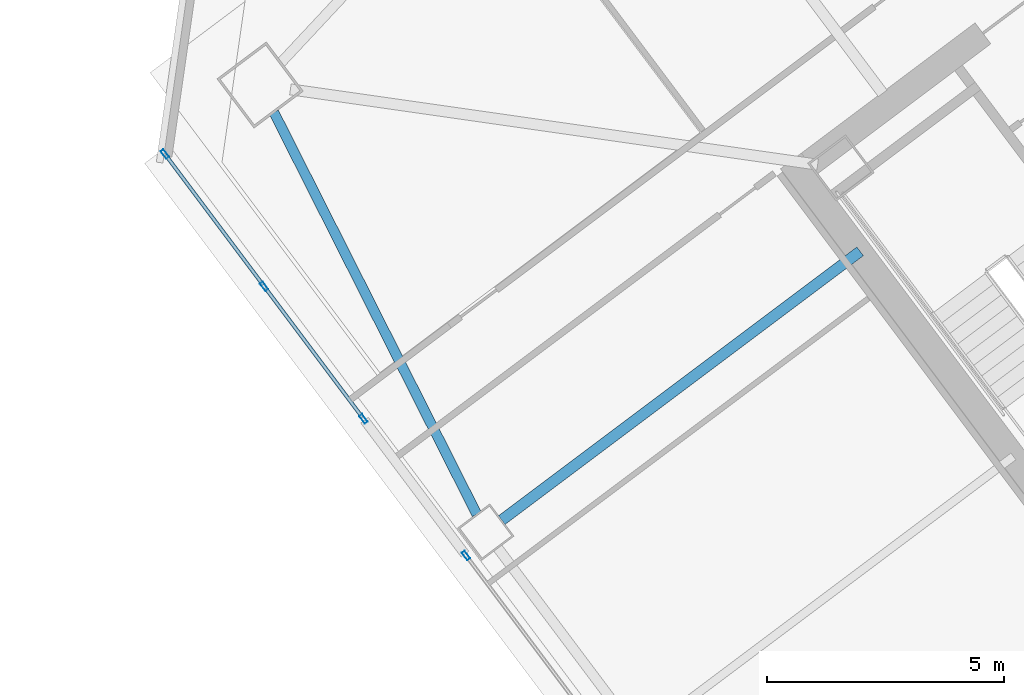
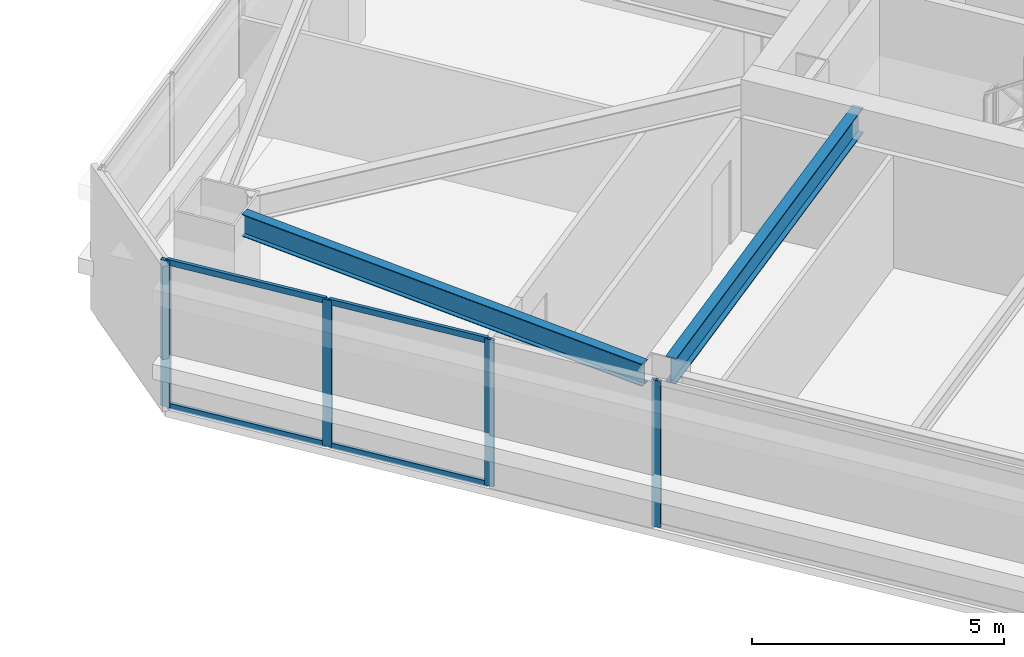
# One storey, part 20 of 46: 8 members, 2 beams, 2 elements without a shape of their own.
"""IFC4 building model written with IfcOpenShell, lengths in metres."""

from ifc_helpers import new_model, si_unit, direction, frame, origin, origin_2d, place, context, subcontext, project, spatial, hollow_rectangle, i_section, extrude, material, material_profile, profile_set, type_object, element, aggregate, save


model = new_model("IFC4")

# Units and contexts
model_context = context("Model", 3, precision=1e-05, world=origin(), true_north=direction((0.0, 1.0)))
body_context = subcontext(model_context, "Body", "Model", "MODEL_VIEW")
ifc_project = project(units=[si_unit("LENGTHUNIT", "METRE"), si_unit("AREAUNIT", "SQUARE_METRE"), si_unit("VOLUMEUNIT", "CUBIC_METRE"), si_unit("PLANEANGLEUNIT", "RADIAN"), si_unit("MASSUNIT", "GRAM", prefix="KILO")], contexts=[model_context])

# Site, building, storey
site_placement = place(None, origin())
site = spatial("IfcSite", under=ifc_project, at=site_placement, CompositionType="ELEMENT")
building_placement = place(site_placement, origin())
building = spatial("IfcBuilding", under=site, at=building_placement, Name="Tashvorn Skyway Center", CompositionType="ELEMENT")
storey_placement = place(building_placement, frame((0.0, 0.0, 132.14990234375)))
storey = spatial("IfcBuildingStorey", under=building, at=storey_placement, Name="L35", CompositionType="ELEMENT", Elevation=132.14990234375)

# Beams
ifc_material_1 = material(Name="Steel ASTM A992 Grade 50", Category="steel")
ifc_material_profile_1 = material_profile(ifc_material_1, i_section(OverallWidth=0.22998046875, OverallDepth=0.616943359375, WebThickness=0.01318359375, FlangeThickness=0.022216796875, at=origin_2d()), Name="W24X94")
ifc_profile_set_1 = profile_set([ifc_material_profile_1], Name="Steel ASTM A992 Grade 50")
beam_type_1 = type_object("IfcBeamType", Name="BM-BEAM-W24X94", PredefinedType="BEAM", material=ifc_profile_set_1)
beam_1_placement = place(storey_placement, frame((96.97607421875, 25.98193359375, 3.0615234375), z_axis=(0.799984498661, 0.600020667896, 0.0), x_axis=(-0.600020667896, 0.799984498661, 0.0)))
element("IfcBeam", 1, at=beam_1_placement, inside=storey, type_object=beam_type_1, Name="Tower 2 L35 Primary Floor Girder FC-W1", PredefinedType="BEAM", context=body_context, shape_type="SweptSolid", body=[
    extrude(i_section(OverallWidth=0.22998046875, OverallDepth=0.616943359375, WebThickness=0.01318359375, FlangeThickness=0.022216796875, at=origin_2d()), origin(), (0.0, 0.0, 1.0), 9.449951171875),
])
ifc_material_profile_2 = material_profile(ifc_material_1, i_section(OverallWidth=0.2109375, OverallDepth=0.5390625, WebThickness=0.01171875, FlangeThickness=0.018798828125, at=origin_2d()), Name="W21X73")
ifc_profile_set_2 = profile_set([ifc_material_profile_2], Name="Steel ASTM A992 Grade 50")
beam_type_2 = type_object("IfcBeamType", Name="BM-SPANDREL-W21X73", PredefinedType="SPANDREL", material=ifc_profile_set_2)
beam_2_placement = place(storey_placement, frame((92.170654296875, 34.584228515625, 3.1005859375), z_axis=(0.450613543136, -0.892719124217, 0.0), x_axis=(0.892719124217, 0.450613543136, 0.0)))
element("IfcBeam", 2, at=beam_2_placement, inside=storey, type_object=beam_type_2, Name="Tower 2 L35 Spandrel Beam 10", PredefinedType="SPANDREL", context=body_context, shape_type="SweptSolid", body=[
    extrude(i_section(OverallWidth=0.2109375, OverallDepth=0.5390625, WebThickness=0.01171875, FlangeThickness=0.018798828125, at=origin_2d()), origin(), (0.0, 0.0, 1.0), 9.498291015625),
])

# Curtain wall, member
ifc_material_2 = material(Name="Thermally broken bronze-anodized aluminium 6063-T6", Category="aluminium")
curtain_wall_type = type_object("IfcCurtainWallType", Name="CW-CW-Z3", PredefinedType="NOTDEFINED", material=ifc_material_2)
curtain_wall_1_placement = place(storey_placement, origin())
curtain_wall_1 = element("IfcCurtainWall", 3, at=curtain_wall_1_placement, inside=storey, type_object=curtain_wall_type, Name="Tower 2 L35 West Unitised Curtain Wall Glazing Group 2", PredefinedType="NOTDEFINED")
ifc_material_profile_3 = material_profile(ifc_material_2, hollow_rectangle(XDim=0.074951171875, YDim=0.199951171875, WallThickness=0.00439453125, at=origin_2d()), Name="ALU-MULL-75x200")
ifc_profile_set_3 = profile_set([ifc_material_profile_3], Name="Thermally broken bronze-anodized aluminium 6063-T6")
member_type_1 = type_object("IfcMemberType", Name="CWM-CW-Z3", PredefinedType="MULLION", material=ifc_profile_set_3)
member_1_placement = place(storey_placement, frame((96.222412109375, 25.23681640625, 0.0), z_axis=(0.0, 0.0, 1.0), x_axis=(-0.800002266987, -0.599996977339, 0.0)))
member_1 = element("IfcMember", 4, at=member_1_placement, type_object=member_type_1, Name="CW-Z3 mullion 2", PredefinedType="MULLION", context=body_context, shape_type="SweptSolid", body=[
    extrude(hollow_rectangle(XDim=0.074951171875, YDim=0.199951171875, WallThickness=0.00439453125, at=origin_2d()), origin(), (0.0, 0.0, 1.0), 3.550048828125),
])
aggregate(curtain_wall_1, [member_1])

# Curtain wall, members
curtain_wall_2_placement = place(storey_placement, origin())
curtain_wall_2 = element("IfcCurtainWall", 5, at=curtain_wall_2_placement, inside=storey, type_object=curtain_wall_type, Name="Tower 2 L35 West Unitised Curtain Wall Glazing Group 3", PredefinedType="NOTDEFINED")
member_2_placement = place(storey_placement, frame((94.060302734375, 28.119873046875, 0.0), z_axis=(0.0, 0.0, 1.0), x_axis=(-0.799996599484, -0.600004533995, 0.0)))
member_2 = element("IfcMember", 6, at=member_2_placement, type_object=member_type_1, Name="CW-Z3 mullion 1", PredefinedType="MULLION", context=body_context, shape_type="SweptSolid", body=[
    extrude(hollow_rectangle(XDim=0.074951171875, YDim=0.199951171875, WallThickness=0.00439453125, at=origin_2d()), origin(), (0.0, 0.0, 1.0), 3.550048828125),
])
member_3_placement = place(storey_placement, frame((91.96533203125, 30.912841796875, 0.0), z_axis=(0.0, 0.0, 1.0), x_axis=(-0.799996599484, -0.600004533995, 0.0)))
member_3 = element("IfcMember", 7, at=member_3_placement, type_object=member_type_1, Name="CW-Z3 mullion 2", PredefinedType="MULLION", context=body_context, shape_type="SweptSolid", body=[
    extrude(hollow_rectangle(XDim=0.074951171875, YDim=0.199951171875, WallThickness=0.00439453125, at=origin_2d()), origin(), (0.0, 0.0, 1.0), 3.550048828125),
])
member_4_placement = place(storey_placement, frame((89.87060546875, 33.7060546875, 0.0), z_axis=(0.0, 0.0, 1.0), x_axis=(-0.799996599484, -0.600004533995, 0.0)))
member_4 = element("IfcMember", 8, at=member_4_placement, type_object=member_type_1, Name="CW-Z3 mullion 3", PredefinedType="MULLION", context=body_context, shape_type="SweptSolid", body=[
    extrude(hollow_rectangle(XDim=0.074951171875, YDim=0.199951171875, WallThickness=0.00439453125, at=origin_2d()), origin(), (0.0, 0.0, 1.0), 3.550048828125),
])
ifc_material_profile_4 = material_profile(ifc_material_2, hollow_rectangle(XDim=0.074951171875, YDim=0.139892578125, WallThickness=0.004150390625, at=origin_2d()), Name="ALU-TRAN-75x140")
ifc_profile_set_4 = profile_set([ifc_material_profile_4], Name="Thermally broken bronze-anodized aluminium 6063-T6")
member_type_2 = type_object("IfcMemberType", Name="CWT-CW-Z3", PredefinedType="USERDEFINED", material=ifc_profile_set_4)
member_5_placement = place(storey_placement, frame((94.03759765625, 28.14990234375, 0.03759765625), z_axis=(-0.600022868659, 0.799982847995, 0.0), x_axis=(-0.799982847995, -0.600022868659, 0.0)))
member_5 = element("IfcMember", 9, at=member_5_placement, type_object=member_type_2, Name="CW-Z3 transom 1.1", ObjectType="TRANSOM", PredefinedType="USERDEFINED", context=body_context, shape_type="SweptSolid", body=[
    extrude(hollow_rectangle(XDim=0.074951171875, YDim=0.139892578125, WallThickness=0.004150390625, at=origin_2d()), origin(), (0.0, 0.0, 1.0), 3.416259765625),
])
member_6_placement = place(storey_placement, frame((94.03759765625, 28.14990234375, 3.5126953125), z_axis=(-0.600022868659, 0.799982847995, 0.0), x_axis=(-0.799982847995, -0.600022868659, 0.0)))
member_6 = element("IfcMember", 10, at=member_6_placement, type_object=member_type_2, Name="CW-Z3 transom 1.2", ObjectType="TRANSOM", PredefinedType="USERDEFINED", context=body_context, shape_type="SweptSolid", body=[
    extrude(hollow_rectangle(XDim=0.074951171875, YDim=0.139892578125, WallThickness=0.004150390625, at=origin_2d()), origin(), (0.0, 0.0, 1.0), 3.416259765625),
])
member_7_placement = place(storey_placement, frame((91.94287109375, 30.94287109375, 0.03759765625), z_axis=(-0.59998856614, 0.800008575267, 0.0), x_axis=(-0.800008575267, -0.59998856614, 0.0)))
member_7 = element("IfcMember", 11, at=member_7_placement, type_object=member_type_2, Name="CW-Z3 transom 2.1", ObjectType="TRANSOM", PredefinedType="USERDEFINED", context=body_context, shape_type="SweptSolid", body=[
    extrude(hollow_rectangle(XDim=0.074951171875, YDim=0.139892578125, WallThickness=0.004150390625, at=origin_2d()), origin(), (0.0, 0.0, 1.0), 3.41650390625),
])
member_8_placement = place(storey_placement, frame((91.94287109375, 30.94287109375, 3.5126953125), z_axis=(-0.59998856614, 0.800008575267, 0.0), x_axis=(-0.800008575267, -0.59998856614, 0.0)))
member_8 = element("IfcMember", 12, at=member_8_placement, type_object=member_type_2, Name="CW-Z3 transom 2.2", ObjectType="TRANSOM", PredefinedType="USERDEFINED", context=body_context, shape_type="SweptSolid", body=[
    extrude(hollow_rectangle(XDim=0.074951171875, YDim=0.139892578125, WallThickness=0.004150390625, at=origin_2d()), origin(), (0.0, 0.0, 1.0), 3.41650390625),
])
aggregate(curtain_wall_2, [member_2, member_3, member_4, member_5, member_6, member_7, member_8])

save(model, "model.ifc")
